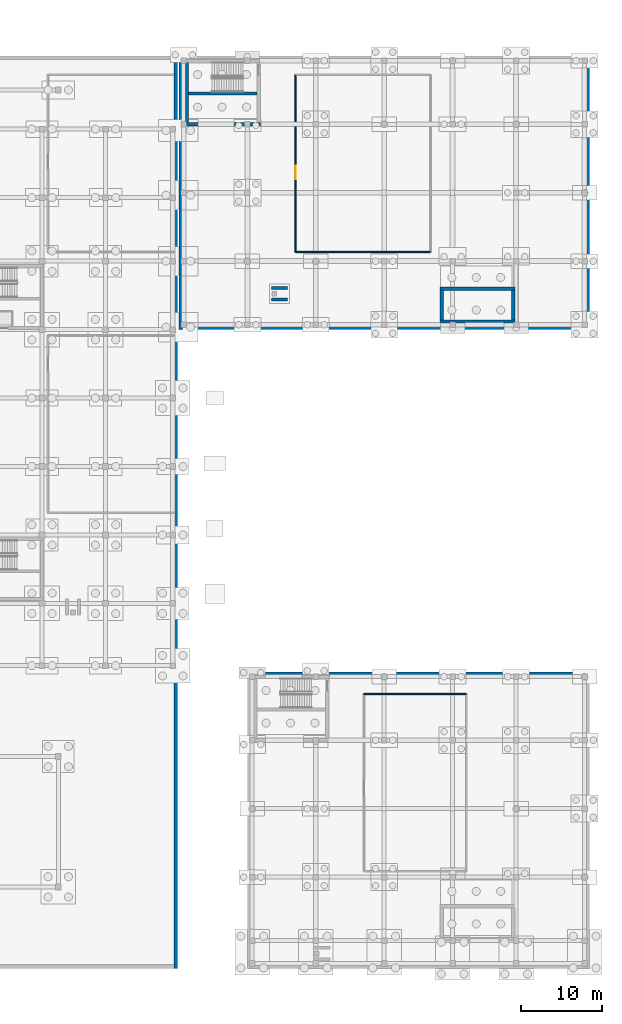
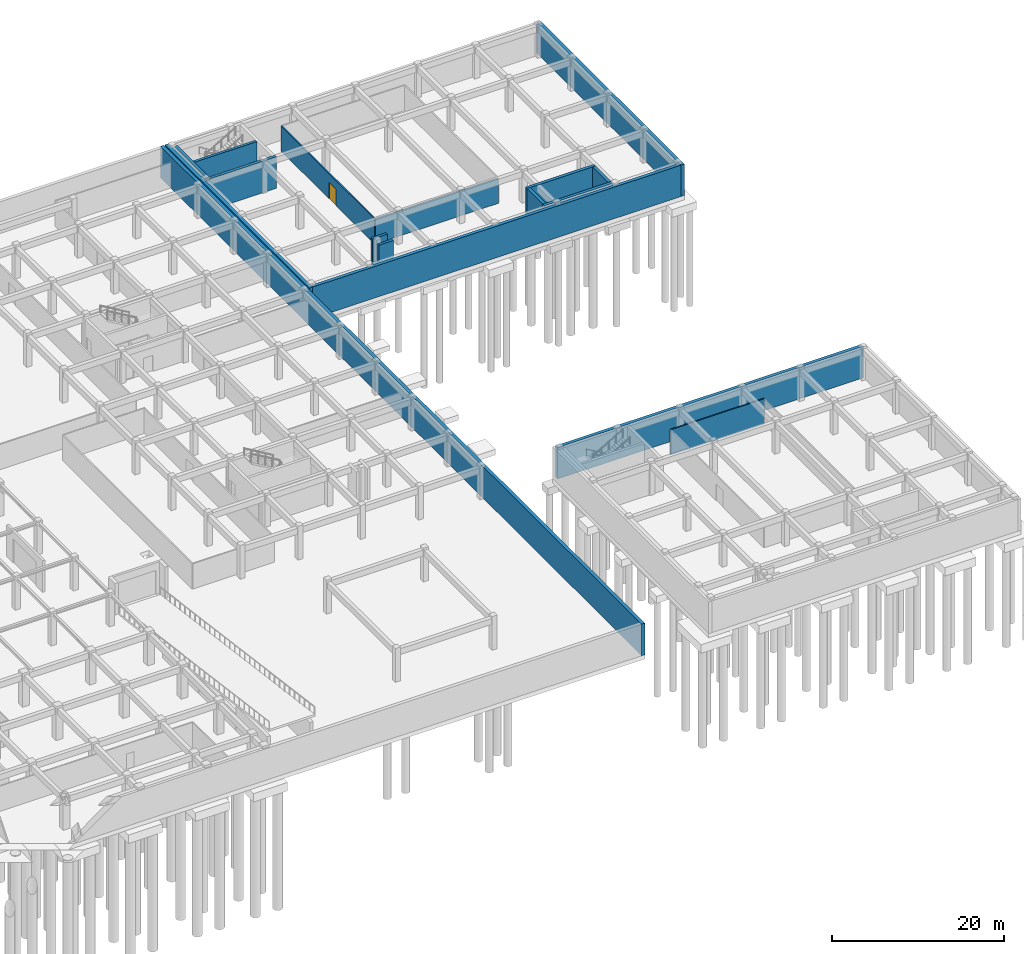
# One storey, part 24 of 35: 17 walls, 1 door, 1 opening.
"""IFC4 building model written with IfcOpenShell, lengths in metres."""

import ifcopenshell
import ifcopenshell.guid

model = None  # the IFC model being written
_history = None  # IfcOwnerHistory: only IFC2X3 demands one
_inside = {}  # id of a spatial element -> (the spatial element, [elements in it])
_under = {}  # id of a project, library or spatial element -> (it, [spatial elements below it])
_declared = {}  # id of a project -> (the project, [libraries it declares])
_typed = {}  # id of a type object -> (the type object, [elements of that type])
_made_of = {}  # id of a material, layer set ... -> (it, [elements and type objects made of it])


def new_model(schema):
    """Start an empty IFC model of exactly this schema.

    Asked for "IFC4X3", IfcOpenShell would pick the latest addendum, in which some entities
    have other attributes; the version numbers below select the first issue.
    IFC2X3 requires an IfcOwnerHistory on every rooted entity: one is made here for all.
    """
    global model, _history
    if schema == "IFC4X3":
        model = ifcopenshell.file(schema_version=(4, 3, 0, 0))
    else:
        model = ifcopenshell.file(schema=schema)
    _inside.clear()
    _under.clear()
    _declared.clear()
    _typed.clear()
    _made_of.clear()
    _history = None
    if model.schema == "IFC2X3":
        org = make("IfcOrganization", Name="unknown")
        user = make(
            "IfcPersonAndOrganization",
            ThePerson=make("IfcPerson", FamilyName="unknown"),
            TheOrganization=org,
        )
        app = make(
            "IfcApplication",
            ApplicationDeveloper=org,
            Version="unknown",
            ApplicationFullName="unknown",
            ApplicationIdentifier="unknown",
        )
        _history = make(
            "IfcOwnerHistory",
            OwningUser=user,
            OwningApplication=app,
            ChangeAction="ADDED",
            CreationDate=0,
        )
    return model


def make(cls, **values):
    """One entity of the class cls with the attributes given. An attribute that is None is left unset."""
    return model.create_entity(
        cls, **{name: value for name, value in values.items() if value is not None}
    )


def rooted(cls, **values):
    """An entity with a GlobalId (a new one), such as an element, a storey or a relation."""
    return make(cls, GlobalId=ifcopenshell.guid.new(), OwnerHistory=_history, **values)


def si_unit(unit_type, name, prefix=None):
    """IfcSIUnit, for example si_unit("LENGTHUNIT", "METRE", prefix="MILLI")."""
    return make("IfcSIUnit", UnitType=unit_type, Prefix=prefix, Name=name)


def assignment(units):
    """IfcUnitAssignment: the units of a project."""
    return None if units is None else make("IfcUnitAssignment", Units=units)


def point(xyz):
    """IfcCartesianPoint."""
    return None if xyz is None else make("IfcCartesianPoint", Coordinates=xyz)


def direction(xyz):
    """IfcDirection."""
    return None if xyz is None else make("IfcDirection", DirectionRatios=xyz)


def frame(location, z_axis=None, x_axis=None):
    """IfcAxis2Placement3D, a coordinate frame: its origin and axes. An axis left out is left unset."""
    return make(
        "IfcAxis2Placement3D",
        Location=point(location),
        Axis=direction(z_axis),
        RefDirection=direction(x_axis),
    )


def frame_2d(location, x_axis=None):
    """IfcAxis2Placement2D, a coordinate frame in the plane: its origin and x axis."""
    return make(
        "IfcAxis2Placement2D", Location=point(location), RefDirection=direction(x_axis)
    )


def origin():
    """The frame at (0, 0, 0) with its axes left unset."""
    return frame((0.0, 0.0, 0.0))


def place(relative_to, where):
    """IfcLocalPlacement: puts the frame where relative to a parent placement (None: the world)."""
    return make(
        "IfcLocalPlacement", PlacementRelTo=relative_to, RelativePlacement=where
    )


def context(
    kind, dimensions, precision=None, world=None, true_north=None, identifier=None
):
    """IfcGeometricRepresentationContext, for example the 3D "Model" context."""
    return make(
        "IfcGeometricRepresentationContext",
        ContextIdentifier=identifier,
        ContextType=kind,
        CoordinateSpaceDimension=dimensions,
        Precision=precision,
        WorldCoordinateSystem=world,
        TrueNorth=true_north,
    )


def subcontext(parent, identifier, kind, view, scale=None):
    """IfcGeometricRepresentationSubContext, for example "Body" below "Model"."""
    return make(
        "IfcGeometricRepresentationSubContext",
        ContextIdentifier=identifier,
        ContextType=kind,
        ParentContext=parent,
        TargetScale=scale,
        TargetView=view,
    )


def project(units=None, contexts=None):
    """IfcProject with its units and contexts."""
    return rooted(
        "IfcProject",
        Name="project",
        RepresentationContexts=contexts,
        UnitsInContext=assignment(units),
    )


def spatial(cls, under=None, at=None, **own):
    """A site, building, storey or space (cls), placed at a placement, below another one or the project."""
    s = rooted(cls, ObjectPlacement=at, **own)
    if under is not None:
        _under.setdefault(under.id(), (under, []))[1].append(s)
    return s


def profile(cls, at=None, kind="AREA", **sizes):
    """A parametric profile (cls). Its sizes go by their IFC names, for example OverallWidth=200.0."""
    return make(cls, ProfileType=kind, Position=at, **sizes)


def rectangle(**sizes):
    """IfcRectangleProfileDef."""
    return profile("IfcRectangleProfileDef", **sizes)


def extrude(swept, where, along, depth):
    """IfcExtrudedAreaSolid: the profile swept, set in the frame where, extruded along a direction by depth."""
    return make(
        "IfcExtrudedAreaSolid",
        SweptArea=swept,
        Position=where,
        ExtrudedDirection=direction(along),
        Depth=depth,
    )


def shape(context_of_items, identifier, shape_type, items):
    """IfcShapeRepresentation: the items that make up one representation, for example the "Body"."""
    return make(
        "IfcShapeRepresentation",
        ContextOfItems=context_of_items,
        RepresentationIdentifier=identifier,
        RepresentationType=shape_type,
        Items=items,
    )


def material(Name=None, Category=None):
    """IfcMaterial."""
    return make("IfcMaterial", Name=Name, Category=Category)


def layer(
    of_material, thickness, ventilated=None, Name=None, Category=None, Priority=None
):
    """IfcMaterialLayer: one layer of a wall or slab, of a material (None: an air gap)."""
    return make(
        "IfcMaterialLayer",
        Material=of_material,
        LayerThickness=thickness,
        IsVentilated=ventilated,
        Name=Name,
        Category=Category,
        Priority=Priority,
    )


def layer_set(layers, Name=None):
    """IfcMaterialLayerSet."""
    return make("IfcMaterialLayerSet", MaterialLayers=layers, LayerSetName=Name)


def made_of(thing, what):
    """Note that an element or type object is made of a material, layer set ...; save() writes the relation."""
    if what is not None:
        _made_of.setdefault(what.id(), (what, []))[1].append(thing)
    return thing


def type_object(cls, material=None, **own):
    """A type object (cls), such as IfcWallType, which elements share."""
    return made_of(rooted(cls, **own), material)


def element(
    cls,
    number,
    at=None,
    inside=None,
    cuts=None,
    type_object=None,
    material=None,
    context=None,
    identifier="Body",
    shape_type=None,
    held_by="IfcProductDefinitionShape",
    body=None,
    shapes=None,
    **own,
):
    """One element of the class cls, such as IfcWall. Its Tag is "e" and its number.

    at: its placement. inside: the storey or other place that contains it. cuts: it is an
    opening in that element (IfcRelVoidsElement). A single representation is given by context,
    identifier, shape_type and body (its items); several are given by shapes. held_by: the class
    of the entity that holds the representations. save() writes the other relations.
    """
    e = rooted(cls, Tag="e%d" % number, ObjectPlacement=at, **own)
    if body is not None:
        shapes = [shape(context, identifier, shape_type, body)]
    if shapes is not None:
        e.Representation = make(held_by, Representations=shapes)
    if inside is not None:
        _inside.setdefault(inside.id(), (inside, []))[1].append(e)
    if cuts is not None:
        rooted(
            "IfcRelVoidsElement", RelatingBuildingElement=cuts, RelatedOpeningElement=e
        )
    if type_object is not None:
        _typed.setdefault(type_object.id(), (type_object, []))[1].append(e)
    return made_of(e, material)


def fill(opening, filler):
    """IfcRelFillsElement: the door or window that sits in an opening."""
    return rooted(
        "IfcRelFillsElement",
        RelatingOpeningElement=opening,
        RelatedBuildingElement=filler,
    )


def aggregate(whole, parts):
    """IfcRelAggregates: a whole, such as a stair, and the parts it consists of."""
    return rooted("IfcRelAggregates", RelatingObject=whole, RelatedObjects=parts)


def save(model, path):
    """Write the relations noted so far, then the file.

    IfcRelAggregates (storeys below a building ...), IfcRelContainedInSpatialStructure (elements
    in a storey), IfcRelDefinesByType, IfcRelAssociatesMaterial and IfcRelDeclares: one each for
    every whole, place, type object, material and project.
    """
    for whole, parts in _under.values():
        aggregate(whole, parts)
    for where, things in _inside.values():
        rooted(
            "IfcRelContainedInSpatialStructure",
            RelatedElements=things,
            RelatingStructure=where,
        )
    for kind, things in _typed.values():
        rooted("IfcRelDefinesByType", RelatedObjects=things, RelatingType=kind)
    for what, things in _made_of.values():
        rooted("IfcRelAssociatesMaterial", RelatedObjects=things, RelatingMaterial=what)
    for by, libraries in _declared.values():
        rooted("IfcRelDeclares", RelatingContext=by, RelatedDefinitions=libraries)
    model.write(path)


model = new_model("IFC4")

# Units and contexts
model_context = context("Model", 3, precision=1e-05, world=origin(), true_north=direction((0.0, 1.0)))
body_context = subcontext(model_context, "Body", "Model", "MODEL_VIEW")
ifc_project = project(units=[si_unit("LENGTHUNIT", "METRE"), si_unit("AREAUNIT", "SQUARE_METRE"), si_unit("VOLUMEUNIT", "CUBIC_METRE"), si_unit("PLANEANGLEUNIT", "RADIAN"), si_unit("MASSUNIT", "GRAM", prefix="KILO")], contexts=[model_context])

# Site, building, storey
site_placement = place(None, origin())
site = spatial("IfcSite", under=ifc_project, at=site_placement, CompositionType="ELEMENT")
building_placement = place(site_placement, origin())
building = spatial("IfcBuilding", under=site, at=building_placement, Name="Zayran Congress Hotel", CompositionType="ELEMENT")
storey_placement = place(building_placement, frame((0.0, 0.0, -4.800048828125)))
storey = spatial("IfcBuildingStorey", under=building, at=storey_placement, Name="B1", CompositionType="ELEMENT", Elevation=-4.800048828125)

# Walls
ifc_material_1 = material(Name="Concrete C32/40", Category="concrete")
ifc_layer_1 = layer(ifc_material_1, 0.449951171875)
ifc_layer_set_1 = layer_set([ifc_layer_1], Name="Concrete C32/40")
wall_type_1 = type_object("IfcWallType", Name="WL-RT-450", PredefinedType="USERDEFINED", material=ifc_layer_set_1)
wall_1_placement = place(storey_placement, frame((142.425048828125, 118.0, 0.0), z_axis=(0.0, 0.0, 1.0), x_axis=(0.0, -1.0, 0.0)))
element("IfcWall", 1, at=wall_1_placement, inside=storey, type_object=wall_type_1, Name="B1-RW-E", ObjectType="RETAININGWALL", PredefinedType="USERDEFINED", context=body_context, shape_type="SweptSolid", body=[
    extrude(rectangle(XDim=112.0, YDim=0.449951171875, at=frame_2d((56.0, 0.0))), origin(), (0.0, 0.0, 1.0), 4.47998046875),
])
wall_2_placement = place(storey_placement, frame((192.75, 84.625, 0.0), z_axis=(0.0, 0.0, 1.0), x_axis=(-1.0, 0.0, 0.0)))
element("IfcWall", 2, at=wall_2_placement, inside=storey, type_object=wall_type_1, Name="B1-V2-RW-S", ObjectType="RETAININGWALL", PredefinedType="USERDEFINED", context=body_context, shape_type="SweptSolid", body=[
    extrude(rectangle(XDim=49.5, YDim=0.449951171875, at=frame_2d((24.75, 0.0))), origin(), (0.0, 0.0, 1.0), 4.47998046875),
])
for number, where, z_axis, x_axis, name in (
    (3, (143.02490234375, 84.39990234375, 0.0), (0.0, 0.0, 1.0), (0.0, 1.0, 0.0), "B1-V2-RW-W"),
    (4, (192.97509765625, 118.0, 0.0), (0.0, 0.0, 1.0), (0.0, -1.0, 0.0), "B1-V2-RW-E"),
):
    element("IfcWall", number, at=place(storey_placement, frame(where, z_axis=z_axis, x_axis=x_axis)), inside=storey, type_object=wall_type_1, Name=name, ObjectType="RETAININGWALL", PredefinedType="USERDEFINED", context=body_context, shape_type="SweptSolid", body=[
        extrude(rectangle(XDim=33.60009765625, YDim=0.449951171875, at=frame_2d((16.800048828125, 0.0))), origin(), (0.0, 0.0, 1.0), 4.47998046875),
    ])
wall_3_placement = place(storey_placement, frame((151.64990234375, 42.175048828125, 0.0), z_axis=(0.0, 0.0, 1.0), x_axis=(1.0, 0.0, 0.0)))
element("IfcWall", 5, at=wall_3_placement, inside=storey, type_object=wall_type_1, Name="B1-V3-RW-N", ObjectType="RETAININGWALL", PredefinedType="USERDEFINED", context=body_context, shape_type="SweptSolid", body=[
    extrude(rectangle(XDim=41.10009765625, YDim=0.449951171875, at=frame_2d((20.550048828125, 0.0))), origin(), (0.0, 0.0, 1.0), 4.47998046875),
])
ifc_material_2 = material(Name="Concrete C40/50", Category="concrete")
ifc_layer_2 = layer(ifc_material_2, 0.39990234375)
ifc_layer_set_2 = layer_set([ifc_layer_2], Name="Concrete C40/50")
wall_type_2 = type_object("IfcWallType", Name="WL-SH-400", PredefinedType="SHEAR", material=ifc_layer_set_2)
wall_4_placement = place(storey_placement, frame((143.60009765625, 109.60009765625, 0.0), z_axis=(0.0, 0.0, 1.0), x_axis=(1.0, 0.0, 0.0)))
element("IfcWall", 6, at=wall_4_placement, inside=storey, type_object=wall_type_2, Name="CWALL-C-V2W-B1-S", PredefinedType="SHEAR", context=body_context, shape_type="SweptSolid", body=[
    extrude(rectangle(XDim=9.199951171875, YDim=0.39990234375, at=frame_2d((4.60009765625, 0.0))), origin(), (0.0, 0.0, 1.0), 4.47998046875),
])
wall_5_placement = place(storey_placement, frame((143.800048828125, 117.199951171875, 0.0), z_axis=(0.0, 0.0, 1.0), x_axis=(0.0, -1.0, 0.0)))
element("IfcWall", 7, at=wall_5_placement, inside=storey, type_object=wall_type_2, Name="CWALL-C-V2W-B1-W", PredefinedType="SHEAR", context=body_context, shape_type="SweptSolid", body=[
    extrude(rectangle(XDim=7.39990234375, YDim=0.39990234375, at=frame_2d((3.699951171875, 0.0))), origin(), (0.0, 0.0, 1.0), 4.47998046875),
])
for number, where, z_axis, x_axis, name in (
    (8, (174.85009765625, 85.39990234375, 0.0), (0.0, 0.0, 1.0), (1.0, 0.0, 0.0), "CWALL-C-V2E-B1-S"),
    (9, (184.050048828125, 89.425048828125, 0.0), (0.0, 0.0, 1.0), (-1.0, 0.0, 0.0), "CWALL-C-V2E-B1-N"),
):
    element("IfcWall", number, at=place(storey_placement, frame(where, z_axis=z_axis, x_axis=x_axis)), inside=storey, type_object=wall_type_2, Name=name, PredefinedType="SHEAR", context=body_context, shape_type="SweptSolid", body=[
        extrude(rectangle(XDim=9.199951171875, YDim=0.39990234375, at=frame_2d((4.60009765625, 0.0))), origin(), (0.0, 0.0, 1.0), 4.47998046875),
    ])
for number, where, z_axis, x_axis, name in (
    (10, (175.050048828125, 89.239990234375, 0.0), (0.0, 0.0, 1.0), (0.0, -1.0, 0.0), "CWALL-C-V2E-B1-W"),
    (11, (183.85009765625, 85.60009765625, 0.0), (0.0, 0.0, 1.0), (0.0, 1.0, 0.0), "CWALL-C-V2E-B1-E"),
):
    element("IfcWall", number, at=place(storey_placement, frame(where, z_axis=z_axis, x_axis=x_axis)), inside=storey, type_object=wall_type_2, Name=name, PredefinedType="SHEAR", context=body_context, shape_type="SweptSolid", body=[
        extrude(rectangle(XDim=3.639892578125, YDim=0.39990234375, at=frame_2d((1.81982421875, 0.0))), origin(), (0.0, 0.0, 1.0), 4.47998046875),
    ])
ifc_layer_3 = layer(ifc_material_2, 0.35009765625)
ifc_layer_set_3 = layer_set([ifc_layer_3], Name="Concrete C40/50")
wall_type_3 = type_object("IfcWallType", Name="WL-SH-350", PredefinedType="SHEAR", material=ifc_layer_set_3)
wall_6_placement = place(storey_placement, frame((144.0, 113.385009765625, 0.0), z_axis=(0.0, 0.0, 1.0), x_axis=(1.0, 0.0, 0.0)))
element("IfcWall", 12, at=wall_6_placement, inside=storey, type_object=wall_type_3, Name="CWALL-C-V2W-B1-SPN", PredefinedType="SHEAR", context=body_context, shape_type="SweptSolid", body=[
    extrude(rectangle(XDim=8.39990234375, YDim=0.35009765625, at=frame_2d((4.199951171875, 0.0))), origin(), (0.0, 0.0, 1.0), 4.47998046875),
])
for number, where, z_axis, x_axis, name in (
    (13, (154.14990234375, 88.074951171875, 0.0), (0.0, 0.0, 1.0), (1.0, 0.0, 0.0), "VWALL-B1SUP-04-R"),
    (14, (154.14990234375, 89.52490234375, 0.0), (0.0, 0.0, 1.0), (1.0, 0.0, 0.0), "VWALL-B1SUP-04-L"),
):
    element("IfcWall", number, at=place(storey_placement, frame(where, z_axis=z_axis, x_axis=x_axis)), inside=storey, type_object=wall_type_3, Name=name, PredefinedType="SHEAR", context=body_context, shape_type="SweptSolid", body=[
        extrude(rectangle(XDim=2.0, YDim=0.35009765625, at=frame_2d((1.0, 0.0))), origin(), (0.0, 0.0, 1.0), 4.47998046875),
    ])

# Wall, opening, door
ifc_material_3 = material(Name="Acoustic twin-stud gypsum partition", Category="gypsum")
ifc_layer_4 = layer(ifc_material_3, 0.159912109375)
ifc_layer_set_4 = layer_set([ifc_layer_4], Name="Acoustic twin-stud gypsum partition")
wall_type_4 = type_object("IfcWallType", Name="WL-PT-160", PredefinedType="PARTITIONING", material=ifc_layer_set_4)
wall_7_placement = place(storey_placement, frame((157.1201171875, 93.919921875, 0.0), z_axis=(0.0, 0.0, 1.0), x_axis=(0.0, 1.0, 0.0)))
wall_7 = element("IfcWall", 15, at=wall_7_placement, inside=storey, type_object=wall_type_4, Name="IW-B1-0383", PredefinedType="PARTITIONING", context=body_context, shape_type="SweptSolid", body=[
    extrude(rectangle(XDim=21.760009765625, YDim=0.159912109375, at=frame_2d((10.8798828125, 0.0))), origin(), (0.0, 0.0, 1.0), 3.580078125),
])
opening_placement = place(wall_7_placement, frame((8.931884765625, 0.0, 0.0)))
opening = element("IfcOpeningElement", 16, at=opening_placement, cuts=wall_7, Name="Opening DR-PL-01", PredefinedType="OPENING", context=body_context, shape_type="SweptSolid", body=[
    extrude(rectangle(XDim=1.64990234375, YDim=2.35009765625, at=frame_2d((0.824951171875, 1.175048828125))), frame((0.0, 0.08984375, 0.0), z_axis=(0.0, -1.0, 0.0), x_axis=(1.0, 0.0, 0.0)), (0.0, 0.0, 1.0), 0.179931640625),
])
ifc_material_4 = material(Name="Painted steel plant room double fire door", Category="steel")
door_type = type_object("IfcDoorType", Name="TP-DR-PL-01", OperationType="DOUBLE_DOOR_SINGLE_SWING", PredefinedType="DOOR", material=ifc_material_4)
door_placement = place(opening_placement, origin())
door = element("IfcDoor", 17, at=door_placement, inside=storey, type_object=door_type, Name="Ballroom Sub-Basement Mechanical Plant B1 Door", OperationType="DOUBLE_DOOR_SINGLE_SWING", OverallHeight=2.35009765625, OverallWidth=1.64990234375, PredefinedType="DOOR", context=body_context, shape_type="SweptSolid", body=[
    extrude(rectangle(XDim=1.64990234375, YDim=2.35009765625, at=frame_2d((0.824951171875, 1.175048828125))), frame((0.0, 0.02490234375, 0.0), z_axis=(0.0, -1.0, 0.0), x_axis=(1.0, 0.0, 0.0)), (0.0, 0.0, 1.0), 0.050048828125),
])
fill(opening, door)

# Walls
wall_8_placement = place(storey_placement, frame((157.1201171875, 93.919921875, 0.0), z_axis=(0.0, 0.0, 1.0), x_axis=(1.0, 0.0, 0.0)))
element("IfcWall", 18, at=wall_8_placement, inside=storey, type_object=wall_type_4, Name="IW-B1-1642", PredefinedType="PARTITIONING", context=body_context, shape_type="SweptSolid", body=[
    extrude(rectangle(XDim=16.559814453125, YDim=0.159912109375, at=frame_2d((8.27978515625, 0.0))), origin(), (0.0, 0.0, 1.0), 3.580078125),
])
wall_9_placement = place(storey_placement, frame((165.52001953125, 39.679931640625, 0.0), z_axis=(0.0, 0.0, 1.0), x_axis=(1.0, 0.0, 0.0)))
element("IfcWall", 19, at=wall_9_placement, inside=storey, type_object=wall_type_4, Name="IW-B1-1646", PredefinedType="PARTITIONING", context=body_context, shape_type="SweptSolid", body=[
    extrude(rectangle(XDim=12.56005859375, YDim=0.159912109375, at=frame_2d((6.280029296875, 0.0))), origin(), (0.0, 0.0, 1.0), 3.580078125),
])

save(model, "model.ifc")
